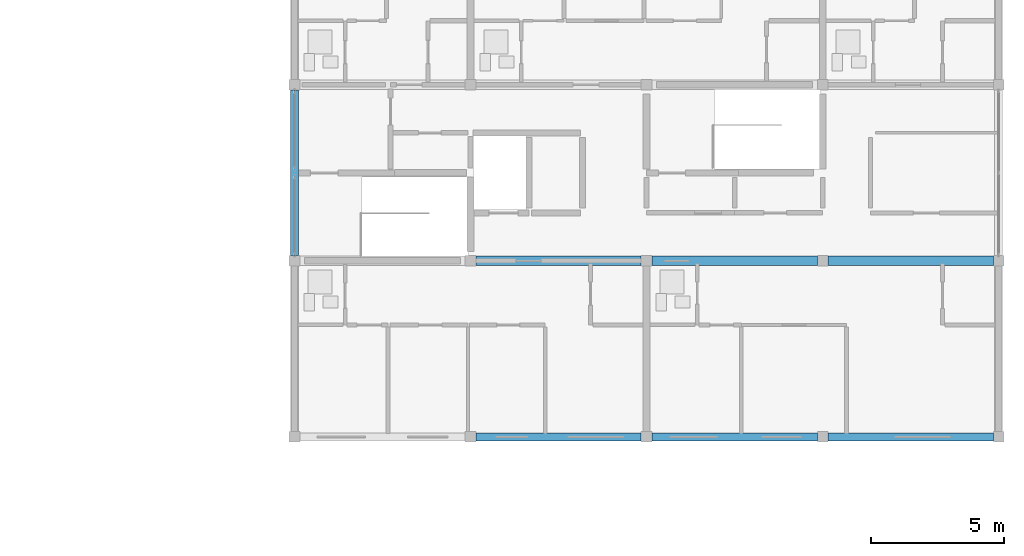
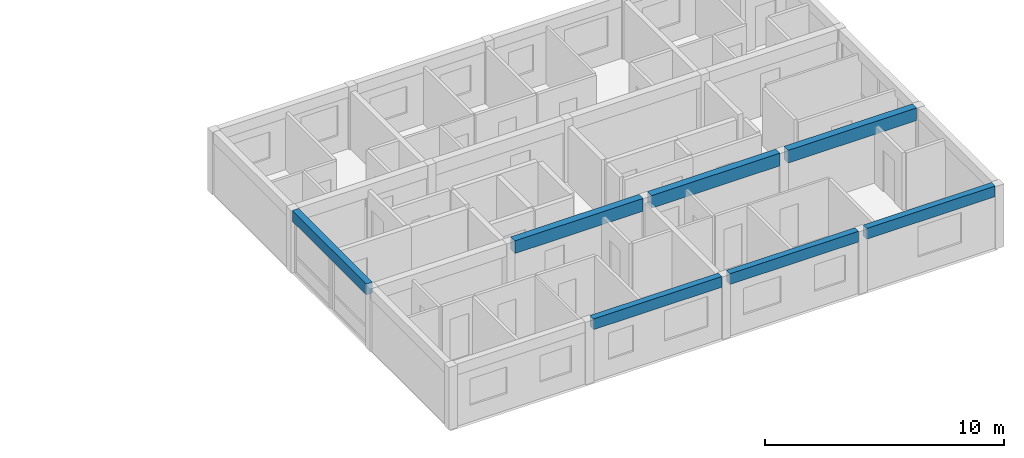
# One storey, part 8 of 23: 7 beams.
"""IFC4 building model written with IfcOpenShell, lengths in metres."""

from ifc_helpers import new_model, si_unit, direction, frame, origin, origin_2d, place, context, subcontext, project, spatial, rectangle, extrude, material, material_profile, profile_set, type_object, element, save


model = new_model("IFC4")

# Units and contexts
model_context = context("Model", 3, precision=1e-05, world=origin(), true_north=direction((0.0, 1.0)))
body_context = subcontext(model_context, "Body", "Model", "MODEL_VIEW")
ifc_project = project(units=[si_unit("LENGTHUNIT", "METRE"), si_unit("AREAUNIT", "SQUARE_METRE"), si_unit("VOLUMEUNIT", "CUBIC_METRE"), si_unit("PLANEANGLEUNIT", "RADIAN"), si_unit("MASSUNIT", "GRAM", prefix="KILO")], contexts=[model_context])

# Site, building, storey
site_placement = place(None, origin())
site = spatial("IfcSite", under=ifc_project, at=site_placement, CompositionType="ELEMENT")
building_placement = place(site_placement, origin())
building = spatial("IfcBuilding", under=site, at=building_placement, Name="Kernevlak Ridge Housing Community", CompositionType="ELEMENT")
storey_placement = place(building_placement, frame((0.0, 0.0, 46.800048828125)))
storey = spatial("IfcBuildingStorey", under=building, at=storey_placement, Name="L14", CompositionType="ELEMENT", Elevation=46.800048828125)

# Beams
ifc_material = material(Name="Concrete C35/45", Category="concrete")
ifc_material_profile_1 = material_profile(ifc_material, rectangle(XDim=0.35009765625, YDim=0.64990234375, at=origin_2d()), Name="RC 350x650")
ifc_profile_set_1 = profile_set([ifc_material_profile_1], Name="Concrete C35/45")
beam_type_1 = type_object("IfcBeamType", Name="B-02", PredefinedType="BEAM", material=ifc_profile_set_1)
for number, where, z_axis, x_axis, name in (
    (1, (126.199951171875, 89.199951171875, 2.875), (1.0, 0.0, 0.0), (0.0, 1.0, 0.0), "Beam B-02 L14 942"),
    (2, (132.800048828125, 89.199951171875, 2.875), (1.0, 0.0, 0.0), (0.0, 1.0, 0.0), "Beam B-02 L14 943"),
):
    element("IfcBeam", number, at=place(storey_placement, frame(where, z_axis=z_axis, x_axis=x_axis)), inside=storey, type_object=beam_type_1, Name=name, PredefinedType="BEAM", context=body_context, shape_type="SweptSolid", body=[
        extrude(rectangle(XDim=0.35009765625, YDim=0.64990234375, at=origin_2d()), origin(), (0.0, 0.0, 1.0), 6.199951171875),
    ])
beam_placement = place(storey_placement, frame((139.39990234375, 89.199951171875, 2.875), z_axis=(1.0, 0.0, 0.0), x_axis=(0.0, 1.0, 0.0)))
element("IfcBeam", 3, at=beam_placement, inside=storey, type_object=beam_type_1, Name="Beam B-02 L14 944", PredefinedType="BEAM", context=body_context, shape_type="SweptSolid", body=[
    extrude(rectangle(XDim=0.35009765625, YDim=0.64990234375, at=origin_2d()), origin(), (0.0, 0.0, 1.0), 6.2001953125),
])
ifc_material_profile_2 = material_profile(ifc_material, rectangle(XDim=0.300048828125, YDim=0.550048828125, at=origin_2d()), Name="RC 300x550")
ifc_profile_set_2 = profile_set([ifc_material_profile_2], Name="Concrete C35/45")
beam_type_2 = type_object("IfcBeamType", Name="SP-01", PredefinedType="SPANDREL", material=ifc_profile_set_2)
for number, where, z_axis, x_axis, name in (
    (4, (126.199951171875, 82.60009765625, 2.925048828125), (1.0, 0.0, 0.0), (0.0, 1.0, 0.0), "Beam SP-01 L14 938"),
    (5, (132.800048828125, 82.60009765625, 2.925048828125), (1.0, 0.0, 0.0), (0.0, 1.0, 0.0), "Beam SP-01 L14 939"),
):
    element("IfcBeam", number, at=place(storey_placement, frame(where, z_axis=z_axis, x_axis=x_axis)), inside=storey, type_object=beam_type_2, Name=name, PredefinedType="SPANDREL", context=body_context, shape_type="SweptSolid", body=[
        extrude(rectangle(XDim=0.300048828125, YDim=0.550048828125, at=origin_2d()), origin(), (0.0, 0.0, 1.0), 6.199951171875),
    ])
for number, where, z_axis, x_axis, name in (
    (6, (139.39990234375, 82.60009765625, 2.925048828125), (1.0, 0.0, 0.0), (0.0, 1.0, 0.0), "Beam SP-01 L14 940"),
    (7, (119.39990234375, 89.39990234375, 2.925048828125), (0.0, 1.0, 0.0), (-1.0, 0.0, 0.0), "Beam SP-01 L14 954"),
):
    element("IfcBeam", number, at=place(storey_placement, frame(where, z_axis=z_axis, x_axis=x_axis)), inside=storey, type_object=beam_type_2, Name=name, PredefinedType="SPANDREL", context=body_context, shape_type="SweptSolid", body=[
        extrude(rectangle(XDim=0.300048828125, YDim=0.550048828125, at=origin_2d()), origin(), (0.0, 0.0, 1.0), 6.2001953125),
    ])

save(model, "model.ifc")
